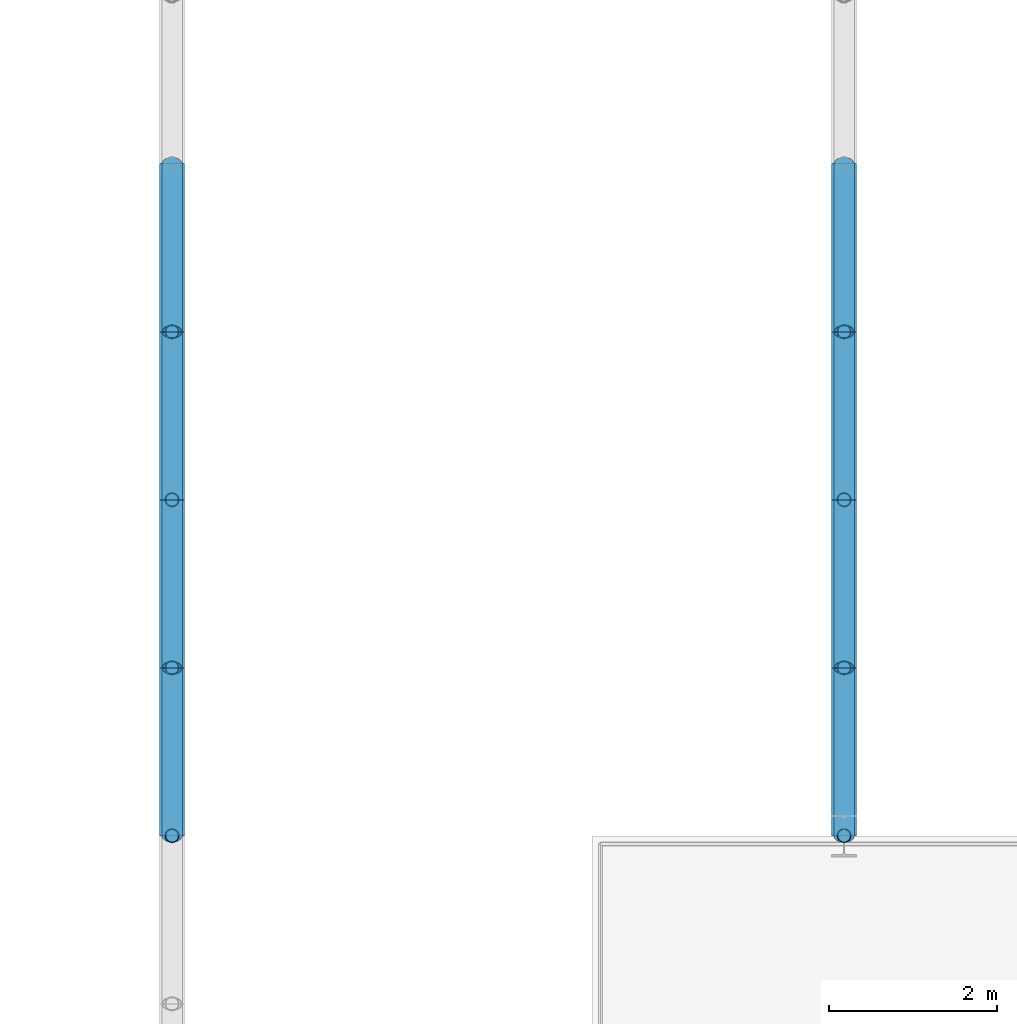
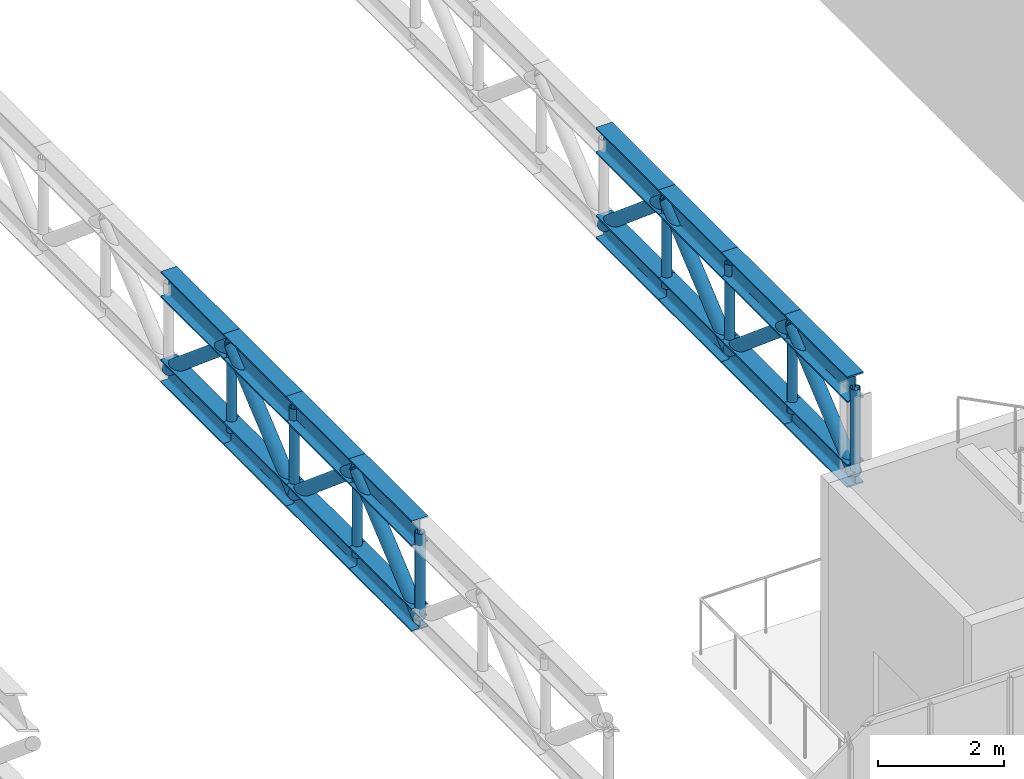
# One storey, part 23 of 67: 32 members.
"""IFC4 building model written with IfcOpenShell, lengths in metres."""

import ifcopenshell
import ifcopenshell.guid

model = None  # the IFC model being written
_history = None  # IfcOwnerHistory: only IFC2X3 demands one
_inside = {}  # id of a spatial element -> (the spatial element, [elements in it])
_under = {}  # id of a project, library or spatial element -> (it, [spatial elements below it])
_declared = {}  # id of a project -> (the project, [libraries it declares])
_typed = {}  # id of a type object -> (the type object, [elements of that type])
_made_of = {}  # id of a material, layer set ... -> (it, [elements and type objects made of it])


def new_model(schema):
    """Start an empty IFC model of exactly this schema.

    Asked for "IFC4X3", IfcOpenShell would pick the latest addendum, in which some entities
    have other attributes; the version numbers below select the first issue.
    IFC2X3 requires an IfcOwnerHistory on every rooted entity: one is made here for all.
    """
    global model, _history
    if schema == "IFC4X3":
        model = ifcopenshell.file(schema_version=(4, 3, 0, 0))
    else:
        model = ifcopenshell.file(schema=schema)
    _inside.clear()
    _under.clear()
    _declared.clear()
    _typed.clear()
    _made_of.clear()
    _history = None
    if model.schema == "IFC2X3":
        org = make("IfcOrganization", Name="unknown")
        user = make(
            "IfcPersonAndOrganization",
            ThePerson=make("IfcPerson", FamilyName="unknown"),
            TheOrganization=org,
        )
        app = make(
            "IfcApplication",
            ApplicationDeveloper=org,
            Version="unknown",
            ApplicationFullName="unknown",
            ApplicationIdentifier="unknown",
        )
        _history = make(
            "IfcOwnerHistory",
            OwningUser=user,
            OwningApplication=app,
            ChangeAction="ADDED",
            CreationDate=0,
        )
    return model


def make(cls, **values):
    """One entity of the class cls with the attributes given. An attribute that is None is left unset."""
    return model.create_entity(
        cls, **{name: value for name, value in values.items() if value is not None}
    )


def rooted(cls, **values):
    """An entity with a GlobalId (a new one), such as an element, a storey or a relation."""
    return make(cls, GlobalId=ifcopenshell.guid.new(), OwnerHistory=_history, **values)


def si_unit(unit_type, name, prefix=None):
    """IfcSIUnit, for example si_unit("LENGTHUNIT", "METRE", prefix="MILLI")."""
    return make("IfcSIUnit", UnitType=unit_type, Prefix=prefix, Name=name)


def derived_unit(unit_type, elements):
    """IfcDerivedUnit: a product of units, each with its exponent."""
    return make(
        "IfcDerivedUnit",
        Elements=[
            make("IfcDerivedUnitElement", Unit=unit, Exponent=power)
            for unit, power in elements
        ],
        UnitType=unit_type,
    )


def assignment(units):
    """IfcUnitAssignment: the units of a project."""
    return None if units is None else make("IfcUnitAssignment", Units=units)


def point(xyz):
    """IfcCartesianPoint."""
    return None if xyz is None else make("IfcCartesianPoint", Coordinates=xyz)


def direction(xyz):
    """IfcDirection."""
    return None if xyz is None else make("IfcDirection", DirectionRatios=xyz)


def frame(location, z_axis=None, x_axis=None):
    """IfcAxis2Placement3D, a coordinate frame: its origin and axes. An axis left out is left unset."""
    return make(
        "IfcAxis2Placement3D",
        Location=point(location),
        Axis=direction(z_axis),
        RefDirection=direction(x_axis),
    )


def frame_2d(location, x_axis=None):
    """IfcAxis2Placement2D, a coordinate frame in the plane: its origin and x axis."""
    return make(
        "IfcAxis2Placement2D", Location=point(location), RefDirection=direction(x_axis)
    )


def origin():
    """The frame at (0, 0, 0) with its axes left unset."""
    return frame((0.0, 0.0, 0.0))


def origin_2d():
    """The frame at (0, 0) in the plane with its x axis left unset."""
    return frame_2d((0.0, 0.0))


def place(relative_to, where):
    """IfcLocalPlacement: puts the frame where relative to a parent placement (None: the world)."""
    return make(
        "IfcLocalPlacement", PlacementRelTo=relative_to, RelativePlacement=where
    )


def context(
    kind, dimensions, precision=None, world=None, true_north=None, identifier=None
):
    """IfcGeometricRepresentationContext, for example the 3D "Model" context."""
    return make(
        "IfcGeometricRepresentationContext",
        ContextIdentifier=identifier,
        ContextType=kind,
        CoordinateSpaceDimension=dimensions,
        Precision=precision,
        WorldCoordinateSystem=world,
        TrueNorth=true_north,
    )


def subcontext(parent, identifier, kind, view, scale=None):
    """IfcGeometricRepresentationSubContext, for example "Body" below "Model"."""
    return make(
        "IfcGeometricRepresentationSubContext",
        ContextIdentifier=identifier,
        ContextType=kind,
        ParentContext=parent,
        TargetScale=scale,
        TargetView=view,
    )


def project(units=None, contexts=None):
    """IfcProject with its units and contexts."""
    return rooted(
        "IfcProject",
        Name="project",
        RepresentationContexts=contexts,
        UnitsInContext=assignment(units),
    )


def spatial(cls, under=None, at=None, **own):
    """A site, building, storey or space (cls), placed at a placement, below another one or the project."""
    s = rooted(cls, ObjectPlacement=at, **own)
    if under is not None:
        _under.setdefault(under.id(), (under, []))[1].append(s)
    return s


def profile(cls, at=None, kind="AREA", **sizes):
    """A parametric profile (cls). Its sizes go by their IFC names, for example OverallWidth=200.0."""
    return make(cls, ProfileType=kind, Position=at, **sizes)


def hollow_circle(**sizes):
    """IfcCircleHollowProfileDef."""
    return profile("IfcCircleHollowProfileDef", **sizes)


def i_section(**sizes):
    """IfcIShapeProfileDef."""
    return profile("IfcIShapeProfileDef", **sizes)


def extrude(swept, where, along, depth):
    """IfcExtrudedAreaSolid: the profile swept, set in the frame where, extruded along a direction by depth."""
    return make(
        "IfcExtrudedAreaSolid",
        SweptArea=swept,
        Position=where,
        ExtrudedDirection=direction(along),
        Depth=depth,
    )


def shape(context_of_items, identifier, shape_type, items):
    """IfcShapeRepresentation: the items that make up one representation, for example the "Body"."""
    return make(
        "IfcShapeRepresentation",
        ContextOfItems=context_of_items,
        RepresentationIdentifier=identifier,
        RepresentationType=shape_type,
        Items=items,
    )


def material(Name=None, Category=None):
    """IfcMaterial."""
    return make("IfcMaterial", Name=Name, Category=Category)


def material_profile(
    of_material, cross_section, Name=None, Category=None, Priority=None
):
    """IfcMaterialProfile: a cross section and its material."""
    return make(
        "IfcMaterialProfile",
        Name=Name,
        Material=of_material,
        Profile=cross_section,
        Priority=Priority,
        Category=Category,
    )


def profile_set(profiles, Name=None, composite=None):
    """IfcMaterialProfileSet."""
    return make(
        "IfcMaterialProfileSet",
        Name=Name,
        MaterialProfiles=profiles,
        CompositeProfile=composite,
    )


def made_of(thing, what):
    """Note that an element or type object is made of a material, layer set ...; save() writes the relation."""
    if what is not None:
        _made_of.setdefault(what.id(), (what, []))[1].append(thing)
    return thing


def type_object(cls, material=None, **own):
    """A type object (cls), such as IfcWallType, which elements share."""
    return made_of(rooted(cls, **own), material)


def element(
    cls,
    number,
    at=None,
    inside=None,
    cuts=None,
    type_object=None,
    material=None,
    context=None,
    identifier="Body",
    shape_type=None,
    held_by="IfcProductDefinitionShape",
    body=None,
    shapes=None,
    **own,
):
    """One element of the class cls, such as IfcWall. Its Tag is "e" and its number.

    at: its placement. inside: the storey or other place that contains it. cuts: it is an
    opening in that element (IfcRelVoidsElement). A single representation is given by context,
    identifier, shape_type and body (its items); several are given by shapes. held_by: the class
    of the entity that holds the representations. save() writes the other relations.
    """
    e = rooted(cls, Tag="e%d" % number, ObjectPlacement=at, **own)
    if body is not None:
        shapes = [shape(context, identifier, shape_type, body)]
    if shapes is not None:
        e.Representation = make(held_by, Representations=shapes)
    if inside is not None:
        _inside.setdefault(inside.id(), (inside, []))[1].append(e)
    if cuts is not None:
        rooted(
            "IfcRelVoidsElement", RelatingBuildingElement=cuts, RelatedOpeningElement=e
        )
    if type_object is not None:
        _typed.setdefault(type_object.id(), (type_object, []))[1].append(e)
    return made_of(e, material)


def aggregate(whole, parts):
    """IfcRelAggregates: a whole, such as a stair, and the parts it consists of."""
    return rooted("IfcRelAggregates", RelatingObject=whole, RelatedObjects=parts)


def save(model, path):
    """Write the relations noted so far, then the file.

    IfcRelAggregates (storeys below a building ...), IfcRelContainedInSpatialStructure (elements
    in a storey), IfcRelDefinesByType, IfcRelAssociatesMaterial and IfcRelDeclares: one each for
    every whole, place, type object, material and project.
    """
    for whole, parts in _under.values():
        aggregate(whole, parts)
    for where, things in _inside.values():
        rooted(
            "IfcRelContainedInSpatialStructure",
            RelatedElements=things,
            RelatingStructure=where,
        )
    for kind, things in _typed.values():
        rooted("IfcRelDefinesByType", RelatedObjects=things, RelatingType=kind)
    for what, things in _made_of.values():
        rooted("IfcRelAssociatesMaterial", RelatedObjects=things, RelatingMaterial=what)
    for by, libraries in _declared.values():
        rooted("IfcRelDeclares", RelatingContext=by, RelatedDefinitions=libraries)
    model.write(path)


model = new_model("IFC4")

# Units and contexts
model_context = context("Model", 3, precision=1e-05, world=origin(), true_north=direction((0.0, 1.0)))
body_context = subcontext(model_context, "Body", "Model", "MODEL_VIEW")
ifc_project = project(units=[si_unit("LENGTHUNIT", "METRE"), si_unit("AREAUNIT", "SQUARE_METRE"), si_unit("VOLUMEUNIT", "CUBIC_METRE"), si_unit("PLANEANGLEUNIT", "RADIAN"), si_unit("MASSUNIT", "GRAM", prefix="KILO"), derived_unit("THERMALTRANSMITTANCEUNIT", [(si_unit("POWERUNIT", "WATT"), 1), (si_unit("LENGTHUNIT", "METRE"), -2), (si_unit("THERMODYNAMICTEMPERATUREUNIT", "KELVIN"), -1)])], contexts=[model_context])

# Site, building, storey
site_placement = place(None, origin())
site = spatial("IfcSite", under=ifc_project, at=site_placement, CompositionType="ELEMENT")
building_placement = place(site_placement, origin())
building = spatial("IfcBuilding", under=site, at=building_placement, Name="Keldorne Ridge Multi-Sports Centre", CompositionType="ELEMENT")
storey_placement = place(building_placement, frame((0.0, 0.0, 14.0)))
storey = spatial("IfcBuildingStorey", under=building, at=storey_placement, Name="L03", CompositionType="ELEMENT", Elevation=14.0)

# Members
ifc_material = material(Name="Steel S355", Category="steel")
ifc_material_profile_1 = material_profile(ifc_material, i_section(OverallWidth=0.300048828125, OverallDepth=0.5, WebThickness=0.014404296875, FlangeThickness=0.028076171875, FilletRadius=0.027099609375, at=origin_2d()), Name="HEB 500")
ifc_profile_set_1 = profile_set([ifc_material_profile_1], Name="Steel S355")
member_type_1 = type_object("IfcMemberType", Name="MEM-TC-03", PredefinedType="CHORD", material=ifc_profile_set_1)
for number, where, z_axis, x_axis, name in (
    (1, (152.0, 14.0, 4.110107421875), (0.0, 1.0, 0.0), (-1.0, 0.0, 0.0), "Stacked Courts Warren TRUSS WT-L04-07 top chord 5"),
    (2, (152.0, 16.0, 4.110107421875), (0.0, 1.0, 0.0), (-1.0, 0.0, 0.0), "Stacked Courts Warren TRUSS WT-L04-07 top chord 6"),
    (3, (152.0, 18.0, 4.110107421875), (0.0, 1.0, 0.0), (-1.0, 0.0, 0.0), "Stacked Courts Warren TRUSS WT-L04-07 top chord 7"),
    (4, (152.0, 20.0, 4.110107421875), (0.0, 1.0, 0.0), (-1.0, 0.0, 0.0), "Stacked Courts Warren TRUSS WT-L04-07 top chord 8"),
    (5, (160.0, 14.0, 4.110107421875), (0.0, 1.0, 0.0), (-1.0, 0.0, 0.0), "Stacked Courts Warren TRUSS WT-L04-08 top chord 5"),
    (6, (160.0, 16.0, 4.110107421875), (0.0, 1.0, 0.0), (-1.0, 0.0, 0.0), "Stacked Courts Warren TRUSS WT-L04-08 top chord 6"),
    (7, (160.0, 18.0, 4.110107421875), (0.0, 1.0, 0.0), (-1.0, 0.0, 0.0), "Stacked Courts Warren TRUSS WT-L04-08 top chord 7"),
    (8, (160.0, 20.0, 4.110107421875), (0.0, 1.0, 0.0), (-1.0, 0.0, 0.0), "Stacked Courts Warren TRUSS WT-L04-08 top chord 8"),
):
    element("IfcMember", number, at=place(storey_placement, frame(where, z_axis=z_axis, x_axis=x_axis)), inside=storey, type_object=member_type_1, Name=name, PredefinedType="CHORD", context=body_context, shape_type="SweptSolid", body=[
        extrude(i_section(OverallWidth=0.300048828125, OverallDepth=0.5, WebThickness=0.014404296875, FlangeThickness=0.028076171875, FilletRadius=0.027099609375, at=origin_2d()), origin(), (0.0, 0.0, 1.0), 2.0),
    ])
ifc_material_profile_2 = material_profile(ifc_material, i_section(OverallWidth=0.300048828125, OverallDepth=0.449951171875, WebThickness=0.013916015625, FlangeThickness=0.02587890625, FilletRadius=0.027099609375, at=origin_2d()), Name="HEB 450")
ifc_profile_set_2 = profile_set([ifc_material_profile_2], Name="Steel S355")
member_type_2 = type_object("IfcMemberType", Name="MEM-TC-04", PredefinedType="CHORD", material=ifc_profile_set_2)
for number, where, z_axis, x_axis, name in (
    (9, (152.0, 14.0, 2.429931640625), (0.0, 1.0, 0.0), (-1.0, 0.0, 0.0), "Stacked Courts Warren TRUSS WT-L04-07 bottom chord 5"),
    (10, (152.0, 16.0, 2.429931640625), (0.0, 1.0, 0.0), (-1.0, 0.0, 0.0), "Stacked Courts Warren TRUSS WT-L04-07 bottom chord 6"),
    (11, (152.0, 18.0, 2.429931640625), (0.0, 1.0, 0.0), (-1.0, 0.0, 0.0), "Stacked Courts Warren TRUSS WT-L04-07 bottom chord 7"),
    (12, (152.0, 20.0, 2.429931640625), (0.0, 1.0, 0.0), (-1.0, 0.0, 0.0), "Stacked Courts Warren TRUSS WT-L04-07 bottom chord 8"),
    (13, (160.0, 14.0, 2.429931640625), (0.0, 1.0, 0.0), (-1.0, 0.0, 0.0), "Stacked Courts Warren TRUSS WT-L04-08 bottom chord 5"),
    (14, (160.0, 16.0, 2.429931640625), (0.0, 1.0, 0.0), (-1.0, 0.0, 0.0), "Stacked Courts Warren TRUSS WT-L04-08 bottom chord 6"),
    (15, (160.0, 18.0, 2.429931640625), (0.0, 1.0, 0.0), (-1.0, 0.0, 0.0), "Stacked Courts Warren TRUSS WT-L04-08 bottom chord 7"),
    (16, (160.0, 20.0, 2.429931640625), (0.0, 1.0, 0.0), (-1.0, 0.0, 0.0), "Stacked Courts Warren TRUSS WT-L04-08 bottom chord 8"),
):
    element("IfcMember", number, at=place(storey_placement, frame(where, z_axis=z_axis, x_axis=x_axis)), inside=storey, type_object=member_type_2, Name=name, PredefinedType="CHORD", context=body_context, shape_type="SweptSolid", body=[
        extrude(i_section(OverallWidth=0.300048828125, OverallDepth=0.449951171875, WebThickness=0.013916015625, FlangeThickness=0.02587890625, FilletRadius=0.027099609375, at=origin_2d()), origin(), (0.0, 0.0, 1.0), 2.0),
    ])
ifc_material_profile_3 = material_profile(ifc_material, hollow_circle(Radius=0.122314453125, WallThickness=0.012451171875, at=origin_2d()), Name="CHS 244.5x12.5")
ifc_profile_set_3 = profile_set([ifc_material_profile_3], Name="Steel S355")
member_type_3 = type_object("IfcMemberType", Name="MEM-TD-02", PredefinedType="BRACE", material=ifc_profile_set_3)
for number, where, z_axis, x_axis, name in (
    (17, (152.0, 14.0, 2.429931640625), (0.0, 0.765671721121, 0.643231541108), (-1.0, 0.0, 0.0), "Stacked Courts Warren TRUSS WT-L04-07 diagonal 5"),
    (18, (152.0, 16.0, 4.110107421875), (0.0, 0.765671721121, -0.643231541108), (-1.0, 0.0, 0.0), "Stacked Courts Warren TRUSS WT-L04-07 diagonal 6"),
    (19, (152.0, 18.0, 2.429931640625), (0.0, 0.765671721121, 0.643231541108), (-1.0, 0.0, 0.0), "Stacked Courts Warren TRUSS WT-L04-07 diagonal 7"),
    (20, (152.0, 20.0, 4.110107421875), (0.0, 0.765671721121, -0.643231541108), (-1.0, 0.0, 0.0), "Stacked Courts Warren TRUSS WT-L04-07 diagonal 8"),
    (21, (160.0, 14.0, 2.429931640625), (0.0, 0.765671721121, 0.643231541108), (-1.0, 0.0, 0.0), "Stacked Courts Warren TRUSS WT-L04-08 diagonal 5"),
    (22, (160.0, 16.0, 4.110107421875), (0.0, 0.765671721121, -0.643231541108), (-1.0, 0.0, 0.0), "Stacked Courts Warren TRUSS WT-L04-08 diagonal 6"),
    (23, (160.0, 18.0, 2.429931640625), (0.0, 0.765671721121, 0.643231541108), (-1.0, 0.0, 0.0), "Stacked Courts Warren TRUSS WT-L04-08 diagonal 7"),
    (24, (160.0, 20.0, 4.110107421875), (0.0, 0.765671721121, -0.643231541108), (-1.0, 0.0, 0.0), "Stacked Courts Warren TRUSS WT-L04-08 diagonal 8"),
):
    element("IfcMember", number, at=place(storey_placement, frame(where, z_axis=z_axis, x_axis=x_axis)), inside=storey, type_object=member_type_3, Name=name, PredefinedType="BRACE", context=body_context, shape_type="SweptSolid", body=[
        extrude(hollow_circle(Radius=0.122314453125, WallThickness=0.012451171875, at=origin_2d()), origin(), (0.0, 0.0, 1.0), 2.612060546875),
    ])
ifc_material_profile_4 = material_profile(ifc_material, hollow_circle(Radius=0.084228515625, WallThickness=0.010009765625, at=origin_2d()), Name="CHS 168.3x10")
ifc_profile_set_4 = profile_set([ifc_material_profile_4], Name="Steel S355")
member_type_4 = type_object("IfcMemberType", Name="MEM-TV-01", PredefinedType="STRUT", material=ifc_profile_set_4)
for number, where, z_axis, x_axis, name in (
    (25, (152.0, 14.0, 2.429931640625), (0.0, 0.0, 1.0), (1.0, 0.0, 0.0), "Stacked Courts Warren TRUSS WT-L04-07 post 5"),
    (26, (152.0, 16.0, 2.429931640625), (0.0, 0.0, 1.0), (1.0, 0.0, 0.0), "Stacked Courts Warren TRUSS WT-L04-07 post 6"),
    (27, (152.0, 18.0, 2.429931640625), (0.0, 0.0, 1.0), (1.0, 0.0, 0.0), "Stacked Courts Warren TRUSS WT-L04-07 post 7"),
    (28, (152.0, 20.0, 2.429931640625), (0.0, 0.0, 1.0), (1.0, 0.0, 0.0), "Stacked Courts Warren TRUSS WT-L04-07 post 8"),
    (29, (160.0, 14.0, 2.429931640625), (0.0, 0.0, 1.0), (1.0, 0.0, 0.0), "Stacked Courts Warren TRUSS WT-L04-08 post 5"),
    (30, (160.0, 16.0, 2.429931640625), (0.0, 0.0, 1.0), (1.0, 0.0, 0.0), "Stacked Courts Warren TRUSS WT-L04-08 post 6"),
    (31, (160.0, 18.0, 2.429931640625), (0.0, 0.0, 1.0), (1.0, 0.0, 0.0), "Stacked Courts Warren TRUSS WT-L04-08 post 7"),
    (32, (160.0, 20.0, 2.429931640625), (0.0, 0.0, 1.0), (1.0, 0.0, 0.0), "Stacked Courts Warren TRUSS WT-L04-08 post 8"),
):
    element("IfcMember", number, at=place(storey_placement, frame(where, z_axis=z_axis, x_axis=x_axis)), inside=storey, type_object=member_type_4, Name=name, PredefinedType="STRUT", context=body_context, shape_type="SweptSolid", body=[
        extrude(hollow_circle(Radius=0.084228515625, WallThickness=0.010009765625, at=origin_2d()), origin(), (0.0, 0.0, 1.0), 1.68017578125),
    ])

save(model, "model.ifc")
